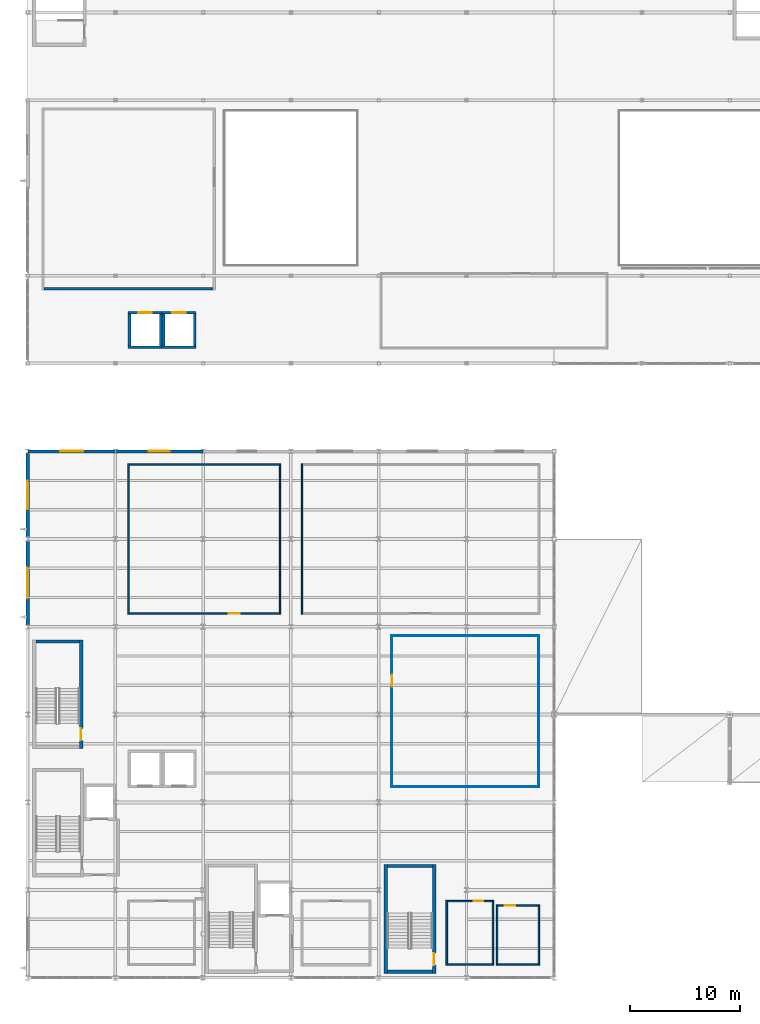
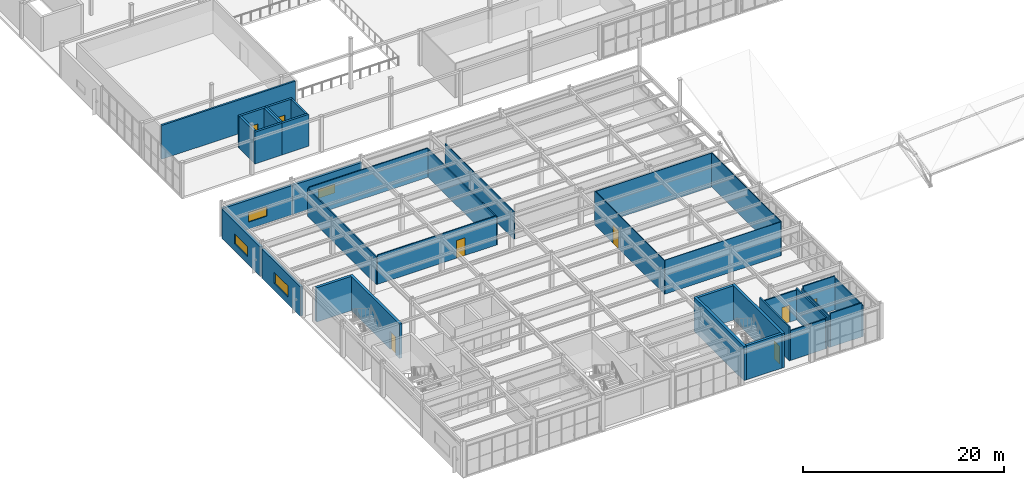
# One storey, part 55 of 83: 36 walls, 8 doors, 4 windows, 12 openings.
"""IFC4 building model written with IfcOpenShell, lengths in metres."""

import ifcopenshell
import ifcopenshell.guid

model = None  # the IFC model being written
_history = None  # IfcOwnerHistory: only IFC2X3 demands one
_inside = {}  # id of a spatial element -> (the spatial element, [elements in it])
_under = {}  # id of a project, library or spatial element -> (it, [spatial elements below it])
_declared = {}  # id of a project -> (the project, [libraries it declares])
_typed = {}  # id of a type object -> (the type object, [elements of that type])
_made_of = {}  # id of a material, layer set ... -> (it, [elements and type objects made of it])


def new_model(schema):
    """Start an empty IFC model of exactly this schema.

    Asked for "IFC4X3", IfcOpenShell would pick the latest addendum, in which some entities
    have other attributes; the version numbers below select the first issue.
    IFC2X3 requires an IfcOwnerHistory on every rooted entity: one is made here for all.
    """
    global model, _history
    if schema == "IFC4X3":
        model = ifcopenshell.file(schema_version=(4, 3, 0, 0))
    else:
        model = ifcopenshell.file(schema=schema)
    _inside.clear()
    _under.clear()
    _declared.clear()
    _typed.clear()
    _made_of.clear()
    _history = None
    if model.schema == "IFC2X3":
        org = make("IfcOrganization", Name="unknown")
        user = make(
            "IfcPersonAndOrganization",
            ThePerson=make("IfcPerson", FamilyName="unknown"),
            TheOrganization=org,
        )
        app = make(
            "IfcApplication",
            ApplicationDeveloper=org,
            Version="unknown",
            ApplicationFullName="unknown",
            ApplicationIdentifier="unknown",
        )
        _history = make(
            "IfcOwnerHistory",
            OwningUser=user,
            OwningApplication=app,
            ChangeAction="ADDED",
            CreationDate=0,
        )
    return model


def make(cls, **values):
    """One entity of the class cls with the attributes given. An attribute that is None is left unset."""
    return model.create_entity(
        cls, **{name: value for name, value in values.items() if value is not None}
    )


def rooted(cls, **values):
    """An entity with a GlobalId (a new one), such as an element, a storey or a relation."""
    return make(cls, GlobalId=ifcopenshell.guid.new(), OwnerHistory=_history, **values)


def si_unit(unit_type, name, prefix=None):
    """IfcSIUnit, for example si_unit("LENGTHUNIT", "METRE", prefix="MILLI")."""
    return make("IfcSIUnit", UnitType=unit_type, Prefix=prefix, Name=name)


def assignment(units):
    """IfcUnitAssignment: the units of a project."""
    return None if units is None else make("IfcUnitAssignment", Units=units)


def point(xyz):
    """IfcCartesianPoint."""
    return None if xyz is None else make("IfcCartesianPoint", Coordinates=xyz)


def direction(xyz):
    """IfcDirection."""
    return None if xyz is None else make("IfcDirection", DirectionRatios=xyz)


def frame(location, z_axis=None, x_axis=None):
    """IfcAxis2Placement3D, a coordinate frame: its origin and axes. An axis left out is left unset."""
    return make(
        "IfcAxis2Placement3D",
        Location=point(location),
        Axis=direction(z_axis),
        RefDirection=direction(x_axis),
    )


def frame_2d(location, x_axis=None):
    """IfcAxis2Placement2D, a coordinate frame in the plane: its origin and x axis."""
    return make(
        "IfcAxis2Placement2D", Location=point(location), RefDirection=direction(x_axis)
    )


def origin():
    """The frame at (0, 0, 0) with its axes left unset."""
    return frame((0.0, 0.0, 0.0))


def place(relative_to, where):
    """IfcLocalPlacement: puts the frame where relative to a parent placement (None: the world)."""
    return make(
        "IfcLocalPlacement", PlacementRelTo=relative_to, RelativePlacement=where
    )


def context(
    kind, dimensions, precision=None, world=None, true_north=None, identifier=None
):
    """IfcGeometricRepresentationContext, for example the 3D "Model" context."""
    return make(
        "IfcGeometricRepresentationContext",
        ContextIdentifier=identifier,
        ContextType=kind,
        CoordinateSpaceDimension=dimensions,
        Precision=precision,
        WorldCoordinateSystem=world,
        TrueNorth=true_north,
    )


def subcontext(parent, identifier, kind, view, scale=None):
    """IfcGeometricRepresentationSubContext, for example "Body" below "Model"."""
    return make(
        "IfcGeometricRepresentationSubContext",
        ContextIdentifier=identifier,
        ContextType=kind,
        ParentContext=parent,
        TargetScale=scale,
        TargetView=view,
    )


def project(units=None, contexts=None):
    """IfcProject with its units and contexts."""
    return rooted(
        "IfcProject",
        Name="project",
        RepresentationContexts=contexts,
        UnitsInContext=assignment(units),
    )


def spatial(cls, under=None, at=None, **own):
    """A site, building, storey or space (cls), placed at a placement, below another one or the project."""
    s = rooted(cls, ObjectPlacement=at, **own)
    if under is not None:
        _under.setdefault(under.id(), (under, []))[1].append(s)
    return s


def profile(cls, at=None, kind="AREA", **sizes):
    """A parametric profile (cls). Its sizes go by their IFC names, for example OverallWidth=200.0."""
    return make(cls, ProfileType=kind, Position=at, **sizes)


def rectangle(**sizes):
    """IfcRectangleProfileDef."""
    return profile("IfcRectangleProfileDef", **sizes)


def extrude(swept, where, along, depth):
    """IfcExtrudedAreaSolid: the profile swept, set in the frame where, extruded along a direction by depth."""
    return make(
        "IfcExtrudedAreaSolid",
        SweptArea=swept,
        Position=where,
        ExtrudedDirection=direction(along),
        Depth=depth,
    )


def shape(context_of_items, identifier, shape_type, items):
    """IfcShapeRepresentation: the items that make up one representation, for example the "Body"."""
    return make(
        "IfcShapeRepresentation",
        ContextOfItems=context_of_items,
        RepresentationIdentifier=identifier,
        RepresentationType=shape_type,
        Items=items,
    )


def material(Name=None, Category=None):
    """IfcMaterial."""
    return make("IfcMaterial", Name=Name, Category=Category)


def layer(
    of_material, thickness, ventilated=None, Name=None, Category=None, Priority=None
):
    """IfcMaterialLayer: one layer of a wall or slab, of a material (None: an air gap)."""
    return make(
        "IfcMaterialLayer",
        Material=of_material,
        LayerThickness=thickness,
        IsVentilated=ventilated,
        Name=Name,
        Category=Category,
        Priority=Priority,
    )


def layer_set(layers, Name=None):
    """IfcMaterialLayerSet."""
    return make("IfcMaterialLayerSet", MaterialLayers=layers, LayerSetName=Name)


def made_of(thing, what):
    """Note that an element or type object is made of a material, layer set ...; save() writes the relation."""
    if what is not None:
        _made_of.setdefault(what.id(), (what, []))[1].append(thing)
    return thing


def type_object(cls, material=None, **own):
    """A type object (cls), such as IfcWallType, which elements share."""
    return made_of(rooted(cls, **own), material)


def element(
    cls,
    number,
    at=None,
    inside=None,
    cuts=None,
    type_object=None,
    material=None,
    context=None,
    identifier="Body",
    shape_type=None,
    held_by="IfcProductDefinitionShape",
    body=None,
    shapes=None,
    **own,
):
    """One element of the class cls, such as IfcWall. Its Tag is "e" and its number.

    at: its placement. inside: the storey or other place that contains it. cuts: it is an
    opening in that element (IfcRelVoidsElement). A single representation is given by context,
    identifier, shape_type and body (its items); several are given by shapes. held_by: the class
    of the entity that holds the representations. save() writes the other relations.
    """
    e = rooted(cls, Tag="e%d" % number, ObjectPlacement=at, **own)
    if body is not None:
        shapes = [shape(context, identifier, shape_type, body)]
    if shapes is not None:
        e.Representation = make(held_by, Representations=shapes)
    if inside is not None:
        _inside.setdefault(inside.id(), (inside, []))[1].append(e)
    if cuts is not None:
        rooted(
            "IfcRelVoidsElement", RelatingBuildingElement=cuts, RelatedOpeningElement=e
        )
    if type_object is not None:
        _typed.setdefault(type_object.id(), (type_object, []))[1].append(e)
    return made_of(e, material)


def fill(opening, filler):
    """IfcRelFillsElement: the door or window that sits in an opening."""
    return rooted(
        "IfcRelFillsElement",
        RelatingOpeningElement=opening,
        RelatedBuildingElement=filler,
    )


def aggregate(whole, parts):
    """IfcRelAggregates: a whole, such as a stair, and the parts it consists of."""
    return rooted("IfcRelAggregates", RelatingObject=whole, RelatedObjects=parts)


def save(model, path):
    """Write the relations noted so far, then the file.

    IfcRelAggregates (storeys below a building ...), IfcRelContainedInSpatialStructure (elements
    in a storey), IfcRelDefinesByType, IfcRelAssociatesMaterial and IfcRelDeclares: one each for
    every whole, place, type object, material and project.
    """
    for whole, parts in _under.values():
        aggregate(whole, parts)
    for where, things in _inside.values():
        rooted(
            "IfcRelContainedInSpatialStructure",
            RelatedElements=things,
            RelatingStructure=where,
        )
    for kind, things in _typed.values():
        rooted("IfcRelDefinesByType", RelatedObjects=things, RelatingType=kind)
    for what, things in _made_of.values():
        rooted("IfcRelAssociatesMaterial", RelatedObjects=things, RelatingMaterial=what)
    for by, libraries in _declared.values():
        rooted("IfcRelDeclares", RelatingContext=by, RelatedDefinitions=libraries)
    model.write(path)


model = new_model("IFC4")

# Units and contexts
model_context = context("Model", 3, precision=1e-05, world=origin(), true_north=direction((0.0, 1.0)))
body_context = subcontext(model_context, "Body", "Model", "MODEL_VIEW")
ifc_project = project(units=[si_unit("LENGTHUNIT", "METRE"), si_unit("AREAUNIT", "SQUARE_METRE"), si_unit("VOLUMEUNIT", "CUBIC_METRE"), si_unit("PLANEANGLEUNIT", "RADIAN"), si_unit("MASSUNIT", "GRAM", prefix="KILO")], contexts=[model_context])

# Site, building, storey
site_placement = place(None, origin())
site = spatial("IfcSite", under=ifc_project, at=site_placement, CompositionType="ELEMENT")
building_placement = place(site_placement, origin())
building = spatial("IfcBuilding", under=site, at=building_placement, Name="Drelvath Fold Interchange", CompositionType="ELEMENT")
storey_placement = place(building_placement, frame((0.0, 0.0, 11.199951171875)))
storey = spatial("IfcBuildingStorey", under=building, at=storey_placement, Name="L02", CompositionType="ELEMENT", Elevation=11.199951171875)

# Wall, opening, door
ifc_material_1 = material(Name="Concrete f'c 45 MPa (6500 psi)", Category="concrete")
ifc_layer_1 = layer(ifc_material_1, 0.300048828125, Name="Concrete f'c 45 MPa (6500 psi)")
ifc_layer_set_1 = layer_set([ifc_layer_1], Name="Concrete f'c 45 MPa (6500 psi)")
wall_type_1 = type_object("IfcWallType", Name="WL-CR300", PredefinedType="SHEAR", material=ifc_layer_set_1)
wall_1_placement = place(storey_placement, frame((8.8798828125, 23.89990234375, 0.0), z_axis=(0.0, 0.0, 1.0), x_axis=(0.0, 1.0, 0.0)))
wall_1 = element("IfcWall", 1, at=wall_1_placement, inside=storey, type_object=wall_type_1, Name="ST-02 L02 east core wall", PredefinedType="SHEAR", context=body_context, shape_type="SweptSolid", body=[
    extrude(rectangle(XDim=9.900146484375, YDim=0.300048828125, at=frame_2d((4.9501953125, 0.0))), origin(), (0.0, 0.0, 1.0), 4.1650390625),
])
opening_1_placement = place(wall_1_placement, frame((0.75, 0.0, 0.0)))
opening_1 = element("IfcOpeningElement", 2, at=opening_1_placement, cuts=wall_1, Name="Opening D-L02-013", PredefinedType="OPENING", context=body_context, shape_type="SweptSolid", body=[
    extrude(rectangle(XDim=1.10009765625, YDim=2.14990234375, at=frame_2d((0.550048828125, 1.074951171875))), frame((0.0, 0.159912109375, 0.0), z_axis=(0.0, -1.0, 0.0), x_axis=(1.0, 0.0, 0.0)), (0.0, 0.0, 1.0), 0.320068359375),
])
ifc_material_2 = material(Name="Insulated Hollow Metal Door Assembly")
door_type_1 = type_object("IfcDoorType", Name="DR-ST1100", OperationType="NOTDEFINED", PredefinedType="DOOR", material=ifc_material_2)
door_1_placement = place(opening_1_placement, origin())
door_1 = element("IfcDoor", 3, at=door_1_placement, inside=storey, type_object=door_type_1, Name="ST-02 L02 stair fire door D-L02-013", OperationType="SINGLE_SWING_LEFT", OverallHeight=2.14990234375, OverallWidth=1.10009765625, PredefinedType="DOOR", context=body_context, shape_type="SweptSolid", body=[
    extrude(rectangle(XDim=1.10009765625, YDim=2.14990234375, at=frame_2d((0.550048828125, 1.074951171875))), frame((0.0, 0.02490234375, 0.0), z_axis=(0.0, -1.0, 0.0), x_axis=(1.0, 0.0, 0.0)), (0.0, 0.0, 1.0), 0.050048828125),
])
fill(opening_1, door_1)

# Walls
wall_2_placement = place(storey_placement, frame((8.72998046875, 33.64990234375, 0.0), z_axis=(0.0, 0.0, 1.0), x_axis=(-1.0, 0.0, 0.0)))
element("IfcWall", 4, at=wall_2_placement, inside=storey, type_object=wall_type_1, Name="ST-02 L02 north core wall", PredefinedType="SHEAR", context=body_context, shape_type="SweptSolid", body=[
    extrude(rectangle(XDim=3.97998046875, YDim=0.300048828125, at=frame_2d((1.989990234375, 0.0))), origin(), (0.0, 0.0, 1.0), 4.1650390625),
])
wall_3_placement = place(storey_placement, frame((36.800048828125, 3.550048828125, 0.0), z_axis=(0.0, 0.0, 1.0), x_axis=(1.0, 0.0, 0.0)))
element("IfcWall", 5, at=wall_3_placement, inside=storey, type_object=wall_type_1, Name="ST-04 L02 south core wall", PredefinedType="SHEAR", context=body_context, shape_type="SweptSolid", body=[
    extrude(rectangle(XDim=4.099853515625, YDim=0.300048828125, at=frame_2d((2.0498046875, 0.0))), origin(), (0.0, 0.0, 1.0), 4.1650390625),
])

# Wall, opening, door
wall_4_placement = place(storey_placement, frame((41.050048828125, 3.39990234375, 0.0), z_axis=(0.0, 0.0, 1.0), x_axis=(0.0, 1.0, 0.0)))
wall_4 = element("IfcWall", 6, at=wall_4_placement, inside=storey, type_object=wall_type_1, Name="ST-04 L02 east core wall", PredefinedType="SHEAR", context=body_context, shape_type="SweptSolid", body=[
    extrude(rectangle(XDim=9.9501953125, YDim=0.300048828125, at=frame_2d((4.97509765625, 0.0))), origin(), (0.0, 0.0, 1.0), 4.1650390625),
])
opening_2_placement = place(wall_4_placement, frame((0.75, 0.0, 0.0)))
opening_2 = element("IfcOpeningElement", 7, at=opening_2_placement, cuts=wall_4, Name="Opening D-L02-029", PredefinedType="OPENING", context=body_context, shape_type="SweptSolid", body=[
    extrude(rectangle(XDim=1.10009765625, YDim=2.14990234375, at=frame_2d((0.550048828125, 1.074951171875))), frame((0.0, 0.159912109375, 0.0), z_axis=(0.0, -1.0, 0.0), x_axis=(1.0, 0.0, 0.0)), (0.0, 0.0, 1.0), 0.320068359375),
])
door_2_placement = place(opening_2_placement, origin())
door_2 = element("IfcDoor", 8, at=door_2_placement, inside=storey, type_object=door_type_1, Name="ST-04 L02 stair fire door D-L02-029", OperationType="SINGLE_SWING_LEFT", OverallHeight=2.14990234375, OverallWidth=1.10009765625, PredefinedType="DOOR", context=body_context, shape_type="SweptSolid", body=[
    extrude(rectangle(XDim=1.10009765625, YDim=2.14990234375, at=frame_2d((0.550048828125, 1.074951171875))), frame((0.0, 0.02490234375, 0.0), z_axis=(0.0, -1.0, 0.0), x_axis=(1.0, 0.0, 0.0)), (0.0, 0.0, 1.0), 0.050048828125),
])
fill(opening_2, door_2)

# Walls
wall_5_placement = place(storey_placement, frame((40.89990234375, 13.199951171875, 0.0), z_axis=(0.0, 0.0, 1.0), x_axis=(-1.0, 0.0, 0.0)))
element("IfcWall", 9, at=wall_5_placement, inside=storey, type_object=wall_type_1, Name="ST-04 L02 north core wall", PredefinedType="SHEAR", context=body_context, shape_type="SweptSolid", body=[
    extrude(rectangle(XDim=4.099853515625, YDim=0.300048828125, at=frame_2d((2.0498046875, 0.0))), origin(), (0.0, 0.0, 1.0), 4.1650390625),
])
wall_6_placement = place(storey_placement, frame((36.64990234375, 13.35009765625, 0.0), z_axis=(0.0, 0.0, 1.0), x_axis=(0.0, -1.0, 0.0)))
element("IfcWall", 10, at=wall_6_placement, inside=storey, type_object=wall_type_1, Name="ST-04 L02 west core wall", PredefinedType="SHEAR", context=body_context, shape_type="SweptSolid", body=[
    extrude(rectangle(XDim=9.9501953125, YDim=0.300048828125, at=frame_2d((4.97509765625, 0.0))), origin(), (0.0, 0.0, 1.0), 4.1650390625),
])

# Wall, opening, window
ifc_material_3 = material(Name="Perforated Anodized Aluminium Rainscreen", Category="aluminium")
ifc_layer_2 = layer(ifc_material_3, 0.27490234375, Name="Perforated Anodized Aluminium Rainscreen")
ifc_layer_set_2 = layer_set([ifc_layer_2], Name="Perforated Anodized Aluminium Rainscreen")
wall_type_2 = type_object("IfcWallType", Name="WL-EXT275", PredefinedType="SOLIDWALL", material=ifc_layer_set_2)
wall_7_placement = place(storey_placement, frame((4.012939453125, 51.0, 0.0), z_axis=(0.0, 0.0, 1.0), x_axis=(1.0, 0.0, 0.0)))
wall_7 = element("IfcWall", 11, at=wall_7_placement, inside=storey, type_object=wall_type_2, Name="L02 exterior facade wall 62", PredefinedType="SOLIDWALL", context=body_context, shape_type="SweptSolid", body=[
    extrude(rectangle(XDim=7.97412109375, YDim=0.27490234375, at=frame_2d((3.987060546875, 0.0))), origin(), (0.0, 0.0, 1.0), 3.550048828125),
])
opening_3_placement = place(wall_7_placement, frame((2.93701171875, 0.0, 0.85009765625)))
opening_3 = element("IfcOpeningElement", 12, at=opening_3_placement, cuts=wall_7, Name="Opening W-L02-056", PredefinedType="OPENING", context=body_context, shape_type="SweptSolid", body=[
    extrude(rectangle(XDim=2.10009765625, YDim=1.14990234375, at=frame_2d((1.050048828125, 0.574951171875))), frame((0.0, 0.1474609375, 0.0), z_axis=(0.0, -1.0, 0.0), x_axis=(1.0, 0.0, 0.0)), (0.0, 0.0, 1.0), 0.294921875),
])
ifc_material_4 = material(Name="Low-Iron Insulated Laminated Glass", Category="glass")
window_type_1 = type_object("IfcWindowType", Name="WN-210x115", PartitioningType="DOUBLE_PANEL_VERTICAL", PredefinedType="WINDOW", material=ifc_material_4)
window_1_placement = place(opening_3_placement, origin())
window_1 = element("IfcWindow", 13, at=window_1_placement, inside=storey, type_object=window_type_1, Name="Facade window W-L02-056", OverallHeight=1.14990234375, OverallWidth=2.10009765625, PartitioningType="SINGLE_PANEL", PredefinedType="WINDOW", context=body_context, shape_type="SweptSolid", body=[
    extrude(rectangle(XDim=2.10009765625, YDim=1.14990234375, at=frame_2d((1.050048828125, 0.574951171875))), frame((0.0, 0.030029296875, 0.0), z_axis=(0.0, -1.0, 0.0), x_axis=(1.0, 0.0, 0.0)), (0.0, 0.0, 1.0), 0.06005859375),
])
fill(opening_3, window_1)

wall_8_placement = place(storey_placement, frame((12.012939453125, 51.0, 0.0), z_axis=(0.0, 0.0, 1.0), x_axis=(1.0, 0.0, 0.0)))
wall_8 = element("IfcWall", 14, at=wall_8_placement, inside=storey, type_object=wall_type_2, Name="L02 exterior facade wall 63", PredefinedType="SOLIDWALL", context=body_context, shape_type="SweptSolid", body=[
    extrude(rectangle(XDim=7.97412109375, YDim=0.27490234375, at=frame_2d((3.987060546875, 0.0))), origin(), (0.0, 0.0, 1.0), 3.550048828125),
])
opening_4_placement = place(wall_8_placement, frame((3.037109375, 0.0, 0.85009765625)))
opening_4 = element("IfcOpeningElement", 15, at=opening_4_placement, cuts=wall_8, Name="Opening W-L02-057", PredefinedType="OPENING", context=body_context, shape_type="SweptSolid", body=[
    extrude(rectangle(XDim=1.89990234375, YDim=1.050048828125, at=frame_2d((0.949951171875, 0.52490234375))), frame((0.0, 0.1474609375, 0.0), z_axis=(0.0, -1.0, 0.0), x_axis=(1.0, 0.0, 0.0)), (0.0, 0.0, 1.0), 0.294921875),
])
window_type_2 = type_object("IfcWindowType", Name="WN-190x105", PartitioningType="SINGLE_PANEL", PredefinedType="WINDOW", material=ifc_material_4)
window_2_placement = place(opening_4_placement, origin())
window_2 = element("IfcWindow", 16, at=window_2_placement, inside=storey, type_object=window_type_2, Name="Facade window W-L02-057", OverallHeight=1.050048828125, OverallWidth=1.89990234375, PartitioningType="SINGLE_PANEL", PredefinedType="WINDOW", context=body_context, shape_type="SweptSolid", body=[
    extrude(rectangle(XDim=1.89990234375, YDim=1.050048828125, at=frame_2d((0.949951171875, 0.52490234375))), frame((0.0, 0.030029296875, 0.0), z_axis=(0.0, -1.0, 0.0), x_axis=(1.0, 0.0, 0.0)), (0.0, 0.0, 1.0), 0.06005859375),
])
fill(opening_4, window_2)

ifc_material_5 = material(Name="Precast concrete f'c 40 MPa (6000 psi)", Category="concrete")
ifc_layer_3 = layer(ifc_material_5, 0.31494140625, Name="Precast concrete f'c 40 MPa (6000 psi)")
ifc_layer_set_3 = layer_set([ifc_layer_3], Name="Precast concrete f'c 40 MPa (6000 psi)")
wall_type_3 = type_object("IfcWallType", Name="WL-EXT315", PredefinedType="SOLIDWALL", material=ifc_layer_set_3)
wall_9_placement = place(storey_placement, frame((4.0, 35.193115234375, 0.0), z_axis=(0.0, 0.0, 1.0), x_axis=(0.0, 1.0, 0.0)))
wall_9 = element("IfcWall", 17, at=wall_9_placement, inside=storey, type_object=wall_type_3, Name="L02 exterior facade wall 60", PredefinedType="SOLIDWALL", context=body_context, shape_type="SweptSolid", body=[
    extrude(rectangle(XDim=7.61376953125, YDim=0.31494140625, at=frame_2d((3.806884765625, 0.0))), origin(), (0.0, 0.0, 1.0), 3.550048828125),
])
opening_5_placement = place(wall_9_placement, frame((2.406982421875, 0.0, 0.85009765625)))
opening_5 = element("IfcOpeningElement", 18, at=opening_5_placement, cuts=wall_9, Name="Opening W-L02-054", PredefinedType="OPENING", context=body_context, shape_type="SweptSolid", body=[
    extrude(rectangle(XDim=2.800048828125, YDim=1.35009765625, at=frame_2d((1.39990234375, 0.675048828125))), frame((0.0, 0.16748046875, 0.0), z_axis=(0.0, -1.0, 0.0), x_axis=(1.0, 0.0, 0.0)), (0.0, 0.0, 1.0), 0.3349609375),
])
window_type_3 = type_object("IfcWindowType", Name="WN-280x135", PartitioningType="TRIPLE_PANEL_VERTICAL", PredefinedType="WINDOW", material=ifc_material_4)
window_3_placement = place(opening_5_placement, origin())
window_3 = element("IfcWindow", 19, at=window_3_placement, inside=storey, type_object=window_type_3, Name="Facade window W-L02-054", OverallHeight=1.35009765625, OverallWidth=2.800048828125, PartitioningType="SINGLE_PANEL", PredefinedType="WINDOW", context=body_context, shape_type="SweptSolid", body=[
    extrude(rectangle(XDim=2.800048828125, YDim=1.35009765625, at=frame_2d((1.39990234375, 0.675048828125))), frame((0.0, 0.030029296875, 0.0), z_axis=(0.0, -1.0, 0.0), x_axis=(1.0, 0.0, 0.0)), (0.0, 0.0, 1.0), 0.06005859375),
])
fill(opening_5, window_3)

wall_10_placement = place(storey_placement, frame((4.0, 43.193115234375, 0.0), z_axis=(0.0, 0.0, 1.0), x_axis=(0.0, 1.0, 0.0)))
wall_10 = element("IfcWall", 20, at=wall_10_placement, inside=storey, type_object=wall_type_3, Name="L02 exterior facade wall 61", PredefinedType="SOLIDWALL", context=body_context, shape_type="SweptSolid", body=[
    extrude(rectangle(XDim=7.61376953125, YDim=0.31494140625, at=frame_2d((3.806884765625, 0.0))), origin(), (0.0, 0.0, 1.0), 3.550048828125),
])
opening_6_placement = place(wall_10_placement, frame((2.507080078125, 0.0, 0.85009765625)))
opening_6 = element("IfcOpeningElement", 21, at=opening_6_placement, cuts=wall_10, Name="Opening W-L02-055", PredefinedType="OPENING", context=body_context, shape_type="SweptSolid", body=[
    extrude(rectangle(XDim=2.60009765625, YDim=1.25, at=frame_2d((1.300048828125, 0.625))), frame((0.0, 0.16748046875, 0.0), z_axis=(0.0, -1.0, 0.0), x_axis=(1.0, 0.0, 0.0)), (0.0, 0.0, 1.0), 0.3349609375),
])
window_type_4 = type_object("IfcWindowType", Name="WN-260x125", PartitioningType="DOUBLE_PANEL_VERTICAL", PredefinedType="WINDOW", material=ifc_material_4)
window_4_placement = place(opening_6_placement, origin())
window_4 = element("IfcWindow", 22, at=window_4_placement, inside=storey, type_object=window_type_4, Name="Facade window W-L02-055", OverallHeight=1.25, OverallWidth=2.60009765625, PartitioningType="SINGLE_PANEL", PredefinedType="WINDOW", context=body_context, shape_type="SweptSolid", body=[
    extrude(rectangle(XDim=2.60009765625, YDim=1.25, at=frame_2d((1.300048828125, 0.625))), frame((0.0, 0.030029296875, 0.0), z_axis=(0.0, -1.0, 0.0), x_axis=(1.0, 0.0, 0.0)), (0.0, 0.0, 1.0), 0.06005859375),
])
fill(opening_6, window_4)

# Walls
ifc_material_6 = material(Name="Concrete f'c 35 MPa (5000 psi)", Category="concrete")
ifc_layer_4 = layer(ifc_material_6, 0.2099609375, Name="Concrete f'c 35 MPa (5000 psi)")
ifc_layer_set_4 = layer_set([ifc_layer_4], Name="Concrete f'c 35 MPa (5000 psi)")
wall_type_4 = type_object("IfcWallType", Name="WL-FR210", PredefinedType="SOLIDWALL", material=ifc_layer_set_4)
wall_11_placement = place(storey_placement, frame((5.5048828125, 65.800048828125, 0.0), z_axis=(0.0, 0.0, 1.0), x_axis=(1.0, 0.0, 0.0)))
element("IfcWall", 23, at=wall_11_placement, inside=storey, type_object=wall_type_4, Name="Concourse Smoke Exhaust Plant Room S partition", PredefinedType="SOLIDWALL", context=body_context, shape_type="SweptSolid", body=[
    extrude(rectangle(XDim=15.39013671875, YDim=0.2099609375, at=frame_2d((7.695068359375, 0.0))), origin(), (0.0, 0.0, 1.0), 4.1201171875),
])
ifc_material_7 = material(Name="Acoustic Gypsum Board Partition Assembly")
ifc_layer_5 = layer(ifc_material_7, 0.0849609375, Name="Acoustic Gypsum Board Partition Assembly")
ifc_layer_set_5 = layer_set([ifc_layer_5], Name="Acoustic Gypsum Board Partition Assembly")
wall_type_5 = type_object("IfcWallType", Name="WL-MV085", PredefinedType="MOVABLE", material=ifc_layer_set_5)
wall_12_placement = place(storey_placement, frame((37.241943359375, 20.39990234375, 0.0), z_axis=(0.0, 0.0, 1.0), x_axis=(1.0, 0.0, 0.0)))
element("IfcWall", 24, at=wall_12_placement, inside=storey, type_object=wall_type_5, Name="Operator Simulation Training Suite S partition", PredefinedType="MOVABLE", context=body_context, shape_type="SweptSolid", body=[
    extrude(rectangle(XDim=13.316162109375, YDim=0.0849609375, at=frame_2d((6.658203125, 0.0))), origin(), (0.0, 0.0, 1.0), 4.1201171875),
])
wall_13_placement = place(storey_placement, frame((50.60009765625, 20.35693359375, 0.0), z_axis=(0.0, 0.0, 1.0), x_axis=(0.0, 1.0, 0.0)))
element("IfcWall", 25, at=wall_13_placement, inside=storey, type_object=wall_type_5, Name="Operator Simulation Training Suite E partition", PredefinedType="MOVABLE", context=body_context, shape_type="SweptSolid", body=[
    extrude(rectangle(XDim=13.885009765625, YDim=0.0849609375, at=frame_2d((6.9423828125, 0.0))), origin(), (0.0, 0.0, 1.0), 4.1201171875),
])
wall_14_placement = place(storey_placement, frame((50.55810546875, 34.199951171875, 0.0), z_axis=(0.0, 0.0, 1.0), x_axis=(-1.0, 0.0, 0.0)))
element("IfcWall", 26, at=wall_14_placement, inside=storey, type_object=wall_type_5, Name="Operator Simulation Training Suite N partition", PredefinedType="MOVABLE", context=body_context, shape_type="SweptSolid", body=[
    extrude(rectangle(XDim=13.316162109375, YDim=0.0849609375, at=frame_2d((6.658203125, 0.0))), origin(), (0.0, 0.0, 1.0), 4.1201171875),
])

# Wall, opening, door
wall_15_placement = place(storey_placement, frame((37.199951171875, 34.241943359375, 0.0), z_axis=(0.0, 0.0, 1.0), x_axis=(0.0, -1.0, 0.0)))
wall_15 = element("IfcWall", 27, at=wall_15_placement, inside=storey, type_object=wall_type_5, Name="Operator Simulation Training Suite W partition", PredefinedType="MOVABLE", context=body_context, shape_type="SweptSolid", body=[
    extrude(rectangle(XDim=13.885009765625, YDim=0.0849609375, at=frame_2d((6.9423828125, 0.0))), origin(), (0.0, 0.0, 1.0), 4.1201171875),
])
opening_7_placement = place(wall_15_placement, frame((3.614990234375, 0.0, 0.0)))
opening_7 = element("IfcOpeningElement", 28, at=opening_7_placement, cuts=wall_15, Name="Opening D-L02-116", PredefinedType="OPENING", context=body_context, shape_type="SweptSolid", body=[
    extrude(rectangle(XDim=1.10009765625, YDim=2.179931640625, at=frame_2d((0.550048828125, 1.08984375))), frame((0.0, 0.052490234375, 0.0), z_axis=(0.0, -1.0, 0.0), x_axis=(1.0, 0.0, 0.0)), (0.0, 0.0, 1.0), 0.10498046875),
])
ifc_material_8 = material(Name="Anodized Aluminium Glazed Door Assembly", Category="aluminium")
door_type_2 = type_object("IfcDoorType", Name="DR-NR110", OperationType="NOTDEFINED", PredefinedType="DOOR", material=ifc_material_8)
door_3_placement = place(opening_7_placement, origin())
door_3 = element("IfcDoor", 29, at=door_3_placement, inside=storey, type_object=door_type_2, Name="Operator Simulation Training Suite door D-L02-116", OperationType="SINGLE_SWING_LEFT", OverallHeight=2.179931640625, OverallWidth=1.10009765625, PredefinedType="DOOR", context=body_context, shape_type="SweptSolid", body=[
    extrude(rectangle(XDim=1.10009765625, YDim=2.179931640625, at=frame_2d((0.550048828125, 1.08984375))), frame((0.0, 0.02490234375, 0.0), z_axis=(0.0, -1.0, 0.0), x_axis=(1.0, 0.0, 0.0)), (0.0, 0.0, 1.0), 0.050048828125),
])
fill(opening_7, door_3)

# Wall
ifc_layer_6 = layer(ifc_material_7, 0.114990234375, Name="Acoustic Gypsum Board Partition Assembly")
ifc_layer_set_6 = layer_set([ifc_layer_6], Name="Acoustic Gypsum Board Partition Assembly")
wall_type_6 = type_object("IfcWallType", Name="WL-PT115", PredefinedType="PARTITIONING", material=ifc_layer_set_6)
wall_16_placement = place(storey_placement, frame((29.0, 49.85693359375, 0.0), z_axis=(0.0, 0.0, 1.0), x_axis=(0.0, -1.0, 0.0)))
element("IfcWall", 30, at=wall_16_placement, inside=storey, type_object=wall_type_6, Name="Operations Staff Canteen W partition", PredefinedType="PARTITIONING", context=body_context, shape_type="SweptSolid", body=[
    extrude(rectangle(XDim=13.7138671875, YDim=0.114990234375, at=frame_2d((6.85693359375, 0.0))), origin(), (0.0, 0.0, 1.0), 3.3359375),
])

# Wall, opening, door
ifc_layer_7 = layer(ifc_material_7, 0.1298828125, Name="Acoustic Gypsum Board Partition Assembly")
ifc_layer_set_7 = layer_set([ifc_layer_7], Name="Acoustic Gypsum Board Partition Assembly")
wall_type_7 = type_object("IfcWallType", Name="WL-PT130", PredefinedType="PARTITIONING", material=ifc_layer_set_7)
wall_17_placement = place(storey_placement, frame((13.264892578125, 36.199951171875, 0.0), z_axis=(0.0, 0.0, 1.0), x_axis=(1.0, 0.0, 0.0)))
wall_17 = element("IfcWall", 31, at=wall_17_placement, inside=storey, type_object=wall_type_7, Name="Shift Handover Briefing Room S partition", PredefinedType="PARTITIONING", context=body_context, shape_type="SweptSolid", body=[
    extrude(rectangle(XDim=13.670166015625, YDim=0.1298828125, at=frame_2d((6.8349609375, 0.0))), origin(), (0.0, 0.0, 1.0), 3.547119140625),
])
opening_8_placement = place(wall_17_placement, frame((9.069091796875, 0.0, 0.0)))
opening_8 = element("IfcOpeningElement", 32, at=opening_8_placement, cuts=wall_17, Name="Opening D-L02-117", PredefinedType="OPENING", context=body_context, shape_type="SweptSolid", body=[
    extrude(rectangle(XDim=1.0, YDim=2.14990234375, at=frame_2d((0.5, 1.074951171875))), frame((0.0, 0.074951171875, 0.0), z_axis=(0.0, -1.0, 0.0), x_axis=(1.0, 0.0, 0.0)), (0.0, 0.0, 1.0), 0.14990234375),
])
door_type_3 = type_object("IfcDoorType", Name="DR-NR100", OperationType="NOTDEFINED", PredefinedType="DOOR", material=ifc_material_8)
door_4_placement = place(opening_8_placement, origin())
door_4 = element("IfcDoor", 33, at=door_4_placement, inside=storey, type_object=door_type_3, Name="Shift Handover Briefing Room door D-L02-117", OperationType="SINGLE_SWING_RIGHT", OverallHeight=2.14990234375, OverallWidth=1.0, PredefinedType="DOOR", context=body_context, shape_type="SweptSolid", body=[
    extrude(rectangle(XDim=1.0, YDim=2.14990234375, at=frame_2d((0.5, 1.074951171875))), frame((0.0, 0.02490234375, 0.0), z_axis=(0.0, -1.0, 0.0), x_axis=(1.0, 0.0, 0.0)), (0.0, 0.0, 1.0), 0.050048828125),
])
fill(opening_8, door_4)

# Walls
wall_18_placement = place(storey_placement, frame((27.0, 36.135009765625, 0.0), z_axis=(0.0, 0.0, 1.0), x_axis=(0.0, 1.0, 0.0)))
element("IfcWall", 34, at=wall_18_placement, inside=storey, type_object=wall_type_7, Name="Shift Handover Briefing Room E partition", PredefinedType="PARTITIONING", context=body_context, shape_type="SweptSolid", body=[
    extrude(rectangle(XDim=13.72998046875, YDim=0.1298828125, at=frame_2d((6.864990234375, 0.0))), origin(), (0.0, 0.0, 1.0), 3.385009765625),
])
wall_19_placement = place(storey_placement, frame((26.93505859375, 49.800048828125, 0.0), z_axis=(0.0, 0.0, 1.0), x_axis=(-1.0, 0.0, 0.0)))
element("IfcWall", 35, at=wall_19_placement, inside=storey, type_object=wall_type_7, Name="Shift Handover Briefing Room N partition", PredefinedType="PARTITIONING", context=body_context, shape_type="SweptSolid", body=[
    extrude(rectangle(XDim=13.670166015625, YDim=0.1298828125, at=frame_2d((6.8349609375, 0.0))), origin(), (0.0, 0.0, 1.0), 3.547119140625),
])
wall_20_placement = place(storey_placement, frame((13.199951171875, 49.864990234375, 0.0), z_axis=(0.0, 0.0, 1.0), x_axis=(0.0, -1.0, 0.0)))
element("IfcWall", 36, at=wall_20_placement, inside=storey, type_object=wall_type_7, Name="Shift Handover Briefing Room W partition", PredefinedType="PARTITIONING", context=body_context, shape_type="SweptSolid", body=[
    extrude(rectangle(XDim=13.72998046875, YDim=0.1298828125, at=frame_2d((6.864990234375, 0.0))), origin(), (0.0, 0.0, 1.0), 3.385009765625),
])
ifc_layer_8 = layer(ifc_material_7, 0.14501953125, Name="Acoustic Gypsum Board Partition Assembly")
ifc_layer_set_8 = layer_set([ifc_layer_8], Name="Acoustic Gypsum Board Partition Assembly")
wall_type_8 = type_object("IfcWallType", Name="WL-PT145", PredefinedType="PARTITIONING", material=ifc_layer_set_8)
wall_21_placement = place(storey_placement, frame((42.27294921875, 4.199951171875, 0.0), z_axis=(0.0, 0.0, 1.0), x_axis=(1.0, 0.0, 0.0)))
element("IfcWall", 37, at=wall_21_placement, inside=storey, type_object=wall_type_8, Name="Level L02 Staff Washroom S partition", PredefinedType="PARTITIONING", context=body_context, shape_type="SweptSolid", body=[
    extrude(rectangle(XDim=4.054931640625, YDim=0.14501953125, at=frame_2d((2.02734375, 0.0))), origin(), (0.0, 0.0, 1.0), 3.6279296875),
])
wall_22_placement = place(storey_placement, frame((46.39990234375, 4.1279296875, 0.0), z_axis=(0.0, 0.0, 1.0), x_axis=(0.0, 1.0, 0.0)))
element("IfcWall", 38, at=wall_22_placement, inside=storey, type_object=wall_type_8, Name="Level L02 Staff Washroom E partition", PredefinedType="PARTITIONING", context=body_context, shape_type="SweptSolid", body=[
    extrude(rectangle(XDim=5.944091796875, YDim=0.14501953125, at=frame_2d((2.97216796875, 0.0))), origin(), (0.0, 0.0, 1.0), 3.81103515625),
])

# Wall, opening, door
wall_23_placement = place(storey_placement, frame((46.327880859375, 10.0, 0.0), z_axis=(0.0, 0.0, 1.0), x_axis=(-1.0, 0.0, 0.0)))
wall_23 = element("IfcWall", 39, at=wall_23_placement, inside=storey, type_object=wall_type_8, Name="Level L02 Staff Washroom N partition", PredefinedType="PARTITIONING", context=body_context, shape_type="SweptSolid", body=[
    extrude(rectangle(XDim=4.054931640625, YDim=0.14501953125, at=frame_2d((2.02734375, 0.0))), origin(), (0.0, 0.0, 1.0), 3.6279296875),
])
opening_9_placement = place(wall_23_placement, frame((0.77587890625, 0.0, 0.0)))
opening_9 = element("IfcOpeningElement", 40, at=opening_9_placement, cuts=wall_23, Name="Opening D-L02-119", PredefinedType="OPENING", context=body_context, shape_type="SweptSolid", body=[
    extrude(rectangle(XDim=0.8798828125, YDim=2.080078125, at=frame_2d((0.43994140625, 1.0400390625))), frame((0.0, 0.08251953125, 0.0), z_axis=(0.0, -1.0, 0.0), x_axis=(1.0, 0.0, 0.0)), (0.0, 0.0, 1.0), 0.1650390625),
])
door_type_4 = type_object("IfcDoorType", Name="DR-NR088", OperationType="NOTDEFINED", PredefinedType="DOOR", material=ifc_material_8)
door_5_placement = place(opening_9_placement, origin())
door_5 = element("IfcDoor", 41, at=door_5_placement, inside=storey, type_object=door_type_4, Name="Level L02 Staff Washroom door D-L02-119", OperationType="SINGLE_SWING_LEFT", OverallHeight=2.080078125, OverallWidth=0.8798828125, PredefinedType="DOOR", context=body_context, shape_type="SweptSolid", body=[
    extrude(rectangle(XDim=0.8798828125, YDim=2.080078125, at=frame_2d((0.43994140625, 1.0400390625))), frame((0.0, 0.02490234375, 0.0), z_axis=(0.0, -1.0, 0.0), x_axis=(1.0, 0.0, 0.0)), (0.0, 0.0, 1.0), 0.050048828125),
])
fill(opening_9, door_5)

# Walls
wall_24_placement = place(storey_placement, frame((42.199951171875, 10.072021484375, 0.0), z_axis=(0.0, 0.0, 1.0), x_axis=(0.0, -1.0, 0.0)))
element("IfcWall", 42, at=wall_24_placement, inside=storey, type_object=wall_type_8, Name="Level L02 Staff Washroom W partition", PredefinedType="PARTITIONING", context=body_context, shape_type="SweptSolid", body=[
    extrude(rectangle(XDim=5.944091796875, YDim=0.14501953125, at=frame_2d((2.97216796875, 0.0))), origin(), (0.0, 0.0, 1.0), 4.1201171875),
])
wall_25_placement = place(storey_placement, frame((46.8720703125, 4.199951171875, 0.0), z_axis=(0.0, 0.0, 1.0), x_axis=(1.0, 0.0, 0.0)))
element("IfcWall", 43, at=wall_25_placement, inside=storey, type_object=wall_type_8, Name="Level L02 Accessible WC S partition", PredefinedType="PARTITIONING", context=body_context, shape_type="SweptSolid", body=[
    extrude(rectangle(XDim=3.656005859375, YDim=0.14501953125, at=frame_2d((1.828125, 0.0))), origin(), (0.0, 0.0, 1.0), 4.1201171875),
])
wall_26_placement = place(storey_placement, frame((50.60009765625, 4.1279296875, 0.0), z_axis=(0.0, 0.0, 1.0), x_axis=(0.0, 1.0, 0.0)))
element("IfcWall", 44, at=wall_26_placement, inside=storey, type_object=wall_type_8, Name="Level L02 Accessible WC E partition", PredefinedType="PARTITIONING", context=body_context, shape_type="SweptSolid", body=[
    extrude(rectangle(XDim=5.544189453125, YDim=0.14501953125, at=frame_2d((2.77197265625, 0.0))), origin(), (0.0, 0.0, 1.0), 3.81103515625),
])

# Wall, opening, door
wall_27_placement = place(storey_placement, frame((50.528076171875, 9.60009765625, 0.0), z_axis=(0.0, 0.0, 1.0), x_axis=(-1.0, 0.0, 0.0)))
wall_27 = element("IfcWall", 45, at=wall_27_placement, inside=storey, type_object=wall_type_8, Name="Level L02 Accessible WC N partition", PredefinedType="PARTITIONING", context=body_context, shape_type="SweptSolid", body=[
    extrude(rectangle(XDim=3.656005859375, YDim=0.14501953125, at=frame_2d((1.828125, 0.0))), origin(), (0.0, 0.0, 1.0), 4.1201171875),
])
opening_10_placement = place(wall_27_placement, frame((2.0791015625, 0.0, 0.0)))
opening_10 = element("IfcOpeningElement", 46, at=opening_10_placement, cuts=wall_27, Name="Opening D-L02-120", PredefinedType="OPENING", context=body_context, shape_type="SweptSolid", body=[
    extrude(rectangle(XDim=0.9599609375, YDim=2.1201171875, at=frame_2d((0.47998046875, 1.06005859375))), frame((0.0, 0.08251953125, 0.0), z_axis=(0.0, -1.0, 0.0), x_axis=(1.0, 0.0, 0.0)), (0.0, 0.0, 1.0), 0.1650390625),
])
door_type_5 = type_object("IfcDoorType", Name="DR-NR096", OperationType="NOTDEFINED", PredefinedType="DOOR", material=ifc_material_8)
door_6_placement = place(opening_10_placement, frame((0.9599609375, 0.0, 0.0), z_axis=(0.0, 0.0, 1.0), x_axis=(-1.0, 0.0, 0.0)))
door_6 = element("IfcDoor", 47, at=door_6_placement, inside=storey, type_object=door_type_5, Name="Level L02 Accessible WC door D-L02-120", OperationType="SINGLE_SWING_RIGHT", OverallHeight=2.1201171875, OverallWidth=0.9599609375, PredefinedType="DOOR", context=body_context, shape_type="SweptSolid", body=[
    extrude(rectangle(XDim=0.9599609375, YDim=2.1201171875, at=frame_2d((0.47998046875, 1.06005859375))), frame((0.0, 0.02490234375, 0.0), z_axis=(0.0, -1.0, 0.0), x_axis=(1.0, 0.0, 0.0)), (0.0, 0.0, 1.0), 0.050048828125),
])
fill(opening_10, door_6)

# Walls
wall_28_placement = place(storey_placement, frame((46.800048828125, 9.672119140625, 0.0), z_axis=(0.0, 0.0, 1.0), x_axis=(0.0, -1.0, 0.0)))
element("IfcWall", 48, at=wall_28_placement, inside=storey, type_object=wall_type_8, Name="Level L02 Accessible WC W partition", PredefinedType="PARTITIONING", context=body_context, shape_type="SweptSolid", body=[
    extrude(rectangle(XDim=5.544189453125, YDim=0.14501953125, at=frame_2d((2.77197265625, 0.0))), origin(), (0.0, 0.0, 1.0), 3.81103515625),
])
ifc_layer_9 = layer(ifc_material_1, 0.25, Name="Concrete f'c 45 MPa (6500 psi)")
ifc_layer_set_9 = layer_set([ifc_layer_9], Name="Concrete f'c 45 MPa (6500 psi)")
wall_type_9 = type_object("IfcWallType", Name="WL-SH250", PredefinedType="SOLIDWALL", material=ifc_layer_set_9)
wall_29_placement = place(storey_placement, frame((13.14990234375, 60.47509765625, 0.0), z_axis=(0.0, 0.0, 1.0), x_axis=(1.0, 0.0, 0.0)))
element("IfcWall", 49, at=wall_29_placement, inside=storey, type_object=wall_type_9, Name="LF-03 L02 south shaft wall", PredefinedType="SOLIDWALL", context=body_context, shape_type="SweptSolid", body=[
    extrude(rectangle(XDim=3.10009765625, YDim=0.25, at=frame_2d((1.550048828125, 0.0))), origin(), (0.0, 0.0, 1.0), 3.8701171875),
])

# Wall, opening, door
wall_30_placement = place(storey_placement, frame((16.25, 63.625, 0.0), z_axis=(0.0, 0.0, 1.0), x_axis=(-1.0, 0.0, 0.0)))
wall_30 = element("IfcWall", 50, at=wall_30_placement, inside=storey, type_object=wall_type_9, Name="LF-03 L02 north shaft wall", PredefinedType="SOLIDWALL", context=body_context, shape_type="SweptSolid", body=[
    extrude(rectangle(XDim=3.10009765625, YDim=0.25, at=frame_2d((1.550048828125, 0.0))), origin(), (0.0, 0.0, 1.0), 3.8701171875),
])
opening_11_placement = place(wall_30_placement, frame((0.949951171875, 0.0, 0.0)))
opening_11 = element("IfcOpeningElement", 51, at=opening_11_placement, cuts=wall_30, Name="Opening LD-LF-03-L02", PredefinedType="OPENING", context=body_context, shape_type="SweptSolid", body=[
    extrude(rectangle(XDim=1.199951171875, YDim=2.199951171875, at=frame_2d((0.60009765625, 1.10009765625))), frame((0.0, 0.135009765625, 0.0), z_axis=(0.0, -1.0, 0.0), x_axis=(1.0, 0.0, 0.0)), (0.0, 0.0, 1.0), 0.27001953125),
])
door_type_6 = type_object("IfcDoorType", Name="DR-LD1200", OperationType="DOUBLE_DOOR_SLIDING", PredefinedType="DOOR", material=ifc_material_2)
door_7_placement = place(opening_11_placement, frame((1.199951171875, 0.0, 0.0), z_axis=(0.0, 0.0, 1.0), x_axis=(-1.0, 0.0, 0.0)))
door_7 = element("IfcDoor", 52, at=door_7_placement, inside=storey, type_object=door_type_6, Name="LF-03 L02 lift landing sliding door LD-LF-03-L02", OperationType="DOUBLE_DOOR_SLIDING", OverallHeight=2.199951171875, OverallWidth=1.199951171875, PredefinedType="DOOR", context=body_context, shape_type="SweptSolid", body=[
    extrude(rectangle(XDim=1.199951171875, YDim=2.199951171875, at=frame_2d((0.60009765625, 1.10009765625))), frame((0.0, 0.02490234375, 0.0), z_axis=(0.0, -1.0, 0.0), x_axis=(1.0, 0.0, 0.0)), (0.0, 0.0, 1.0), 0.050048828125),
])
fill(opening_11, door_7)

# Walls
for number, where, z_axis, x_axis, name in (
    (53, (16.125, 60.60009765625, 0.0), (0.0, 0.0, 1.0), (0.0, 1.0, 0.0), "LF-03 L02 east shaft wall"),
    (54, (13.27490234375, 63.5, 0.0), (0.0, 0.0, 1.0), (0.0, -1.0, 0.0), "LF-03 L02 west shaft wall"),
):
    element("IfcWall", number, at=place(storey_placement, frame(where, z_axis=z_axis, x_axis=x_axis)), inside=storey, type_object=wall_type_9, Name=name, PredefinedType="SOLIDWALL", context=body_context, shape_type="SweptSolid", body=[
        extrude(rectangle(XDim=2.89990234375, YDim=0.25, at=frame_2d((1.449951171875, 0.0))), origin(), (0.0, 0.0, 1.0), 3.8701171875),
    ])
wall_31_placement = place(storey_placement, frame((16.25, 60.47509765625, 0.0), z_axis=(0.0, 0.0, 1.0), x_axis=(1.0, 0.0, 0.0)))
element("IfcWall", 55, at=wall_31_placement, inside=storey, type_object=wall_type_9, Name="LF-04 L02 south shaft wall", PredefinedType="SOLIDWALL", context=body_context, shape_type="SweptSolid", body=[
    extrude(rectangle(XDim=3.10009765625, YDim=0.25, at=frame_2d((1.550048828125, 0.0))), origin(), (0.0, 0.0, 1.0), 3.8701171875),
])

# Wall, opening, door
wall_32_placement = place(storey_placement, frame((19.35009765625, 63.625, 0.0), z_axis=(0.0, 0.0, 1.0), x_axis=(-1.0, 0.0, 0.0)))
wall_32 = element("IfcWall", 56, at=wall_32_placement, inside=storey, type_object=wall_type_9, Name="LF-04 L02 north shaft wall", PredefinedType="SOLIDWALL", context=body_context, shape_type="SweptSolid", body=[
    extrude(rectangle(XDim=3.10009765625, YDim=0.25, at=frame_2d((1.550048828125, 0.0))), origin(), (0.0, 0.0, 1.0), 3.8701171875),
])
opening_12_placement = place(wall_32_placement, frame((0.949951171875, 0.0, 0.0)))
opening_12 = element("IfcOpeningElement", 57, at=opening_12_placement, cuts=wall_32, Name="Opening LD-LF-04-L02", PredefinedType="OPENING", context=body_context, shape_type="SweptSolid", body=[
    extrude(rectangle(XDim=1.199951171875, YDim=2.199951171875, at=frame_2d((0.60009765625, 1.10009765625))), frame((0.0, 0.135009765625, 0.0), z_axis=(0.0, -1.0, 0.0), x_axis=(1.0, 0.0, 0.0)), (0.0, 0.0, 1.0), 0.27001953125),
])
door_8_placement = place(opening_12_placement, frame((1.199951171875, 0.0, 0.0), z_axis=(0.0, 0.0, 1.0), x_axis=(-1.0, 0.0, 0.0)))
door_8 = element("IfcDoor", 58, at=door_8_placement, inside=storey, type_object=door_type_6, Name="LF-04 L02 lift landing sliding door LD-LF-04-L02", OperationType="DOUBLE_DOOR_SLIDING", OverallHeight=2.199951171875, OverallWidth=1.199951171875, PredefinedType="DOOR", context=body_context, shape_type="SweptSolid", body=[
    extrude(rectangle(XDim=1.199951171875, YDim=2.199951171875, at=frame_2d((0.60009765625, 1.10009765625))), frame((0.0, 0.02490234375, 0.0), z_axis=(0.0, -1.0, 0.0), x_axis=(1.0, 0.0, 0.0)), (0.0, 0.0, 1.0), 0.050048828125),
])
fill(opening_12, door_8)

# Walls
for number, where, z_axis, x_axis, name in (
    (59, (19.22509765625, 60.60009765625, 0.0), (0.0, 0.0, 1.0), (0.0, 1.0, 0.0), "LF-04 L02 east shaft wall"),
    (60, (16.375, 63.5, 0.0), (0.0, 0.0, 1.0), (0.0, -1.0, 0.0), "LF-04 L02 west shaft wall"),
):
    element("IfcWall", number, at=place(storey_placement, frame(where, z_axis=z_axis, x_axis=x_axis)), inside=storey, type_object=wall_type_9, Name=name, PredefinedType="SOLIDWALL", context=body_context, shape_type="SweptSolid", body=[
        extrude(rectangle(XDim=2.89990234375, YDim=0.25, at=frame_2d((1.449951171875, 0.0))), origin(), (0.0, 0.0, 1.0), 3.8701171875),
    ])

save(model, "model.ifc")
